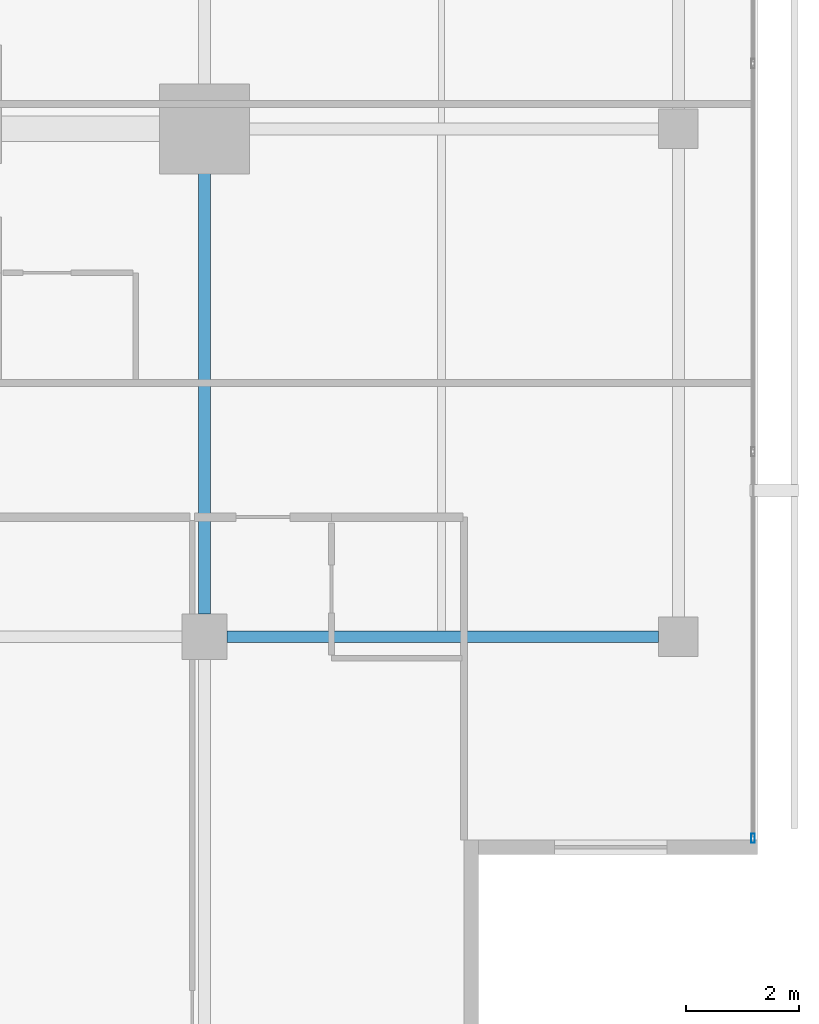
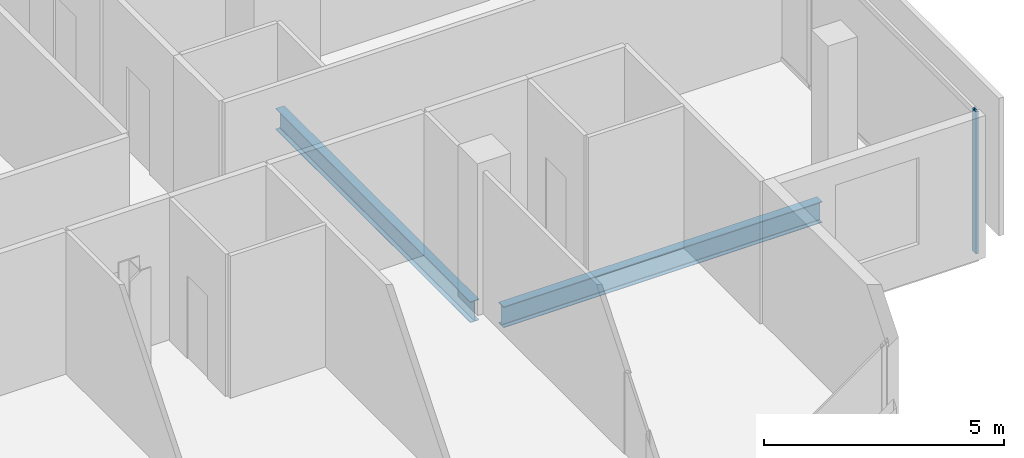
# One storey, part 11 of 25: 2 beams, 1 member, 1 element without a shape of its own.
"""IFC4 building model written with IfcOpenShell, lengths in metres."""

from ifc_helpers import new_model, si_unit, direction, frame, origin, origin_2d, place, context, subcontext, project, spatial, hollow_rectangle, i_section, extrude, material, layer, layer_set, material_profile, profile_set, type_object, element, aggregate, save


model = new_model("IFC4")

# Units and contexts
model_context = context("Model", 3, precision=1e-05, world=origin(), true_north=direction((0.0, 1.0)))
body_context = subcontext(model_context, "Body", "Model", "MODEL_VIEW")
ifc_project = project(units=[si_unit("LENGTHUNIT", "METRE"), si_unit("AREAUNIT", "SQUARE_METRE"), si_unit("VOLUMEUNIT", "CUBIC_METRE"), si_unit("PLANEANGLEUNIT", "RADIAN"), si_unit("MASSUNIT", "GRAM", prefix="KILO")], contexts=[model_context])

# Site, building, storey
site_placement = place(None, origin())
site = spatial("IfcSite", under=ifc_project, at=site_placement, CompositionType="ELEMENT")
building_placement = place(site_placement, origin())
building = spatial("IfcBuilding", under=site, at=building_placement, Name="Maruvema Waterfront Hotel and Observation Tower", CompositionType="ELEMENT")
storey_placement = place(building_placement, frame((0.0, 0.0, 250.949951171875)))
storey = spatial("IfcBuildingStorey", under=building, at=storey_placement, Name="L61", CompositionType="ELEMENT", Elevation=250.949951171875)

# Curtain wall, member
ifc_material_1 = material(Name="Anodised bronze aluminium and solar-control low-E IGU", Category="aluminium")
ifc_layer = layer(ifc_material_1, 0.159912109375, Name="Zone 3 Champagne Inner Thermal Curtain Wall System CW-04")
ifc_layer_set = layer_set([ifc_layer], Name="Anodised bronze aluminium and solar-control low-E IGU")
curtain_wall_type = type_object("IfcCurtainWallType", Name="Zone 3 Champagne Inner Thermal Curtain Wall System CW-04", PredefinedType="USERDEFINED", material=ifc_layer_set)
curtain_wall_placement = place(storey_placement, origin())
curtain_wall = element("IfcCurtainWall", 1, at=curtain_wall_placement, inside=storey, type_object=curtain_wall_type, Name="L61 Curtain Wall CW-L61-E", ObjectType="UNITISED CURTAIN WALL", PredefinedType="USERDEFINED")
ifc_material_2 = material(Name="Anodised architectural bronze aluminium", Category="aluminium")
ifc_material_profile_1 = material_profile(ifc_material_2, hollow_rectangle(XDim=0.06494140625, YDim=0.1650390625, WallThickness=0.00390625, at=origin_2d()), Name="ALU-M65x165")
ifc_profile_set_1 = profile_set([ifc_material_profile_1], Name="Anodised architectural bronze aluminium")
member_type = type_object("IfcMemberType", Name="Curtain Wall Primary Mullion ALU-M65x165", PredefinedType="MULLION", material=ifc_profile_set_1)
member_placement = place(storey_placement, frame((60.1201171875, 14.429931640625, 0.0), z_axis=(0.0, 0.0, 1.0), x_axis=(-1.0, 0.0, 0.0)))
member = element("IfcMember", 2, at=member_placement, type_object=member_type, Name="CW-04 mullion 1", PredefinedType="MULLION", context=body_context, shape_type="SweptSolid", body=[
    extrude(hollow_rectangle(XDim=0.06494140625, YDim=0.1650390625, WallThickness=0.00390625, at=origin_2d()), origin(), (0.0, 0.0, 1.0), 3.610107421875),
])
aggregate(curtain_wall, [member])

# Beams
ifc_material_3 = material(Name="Steel ASTM A572 Grade 50", Category="steel")
ifc_material_profile_2 = material_profile(ifc_material_3, i_section(OverallWidth=0.208984375, OverallDepth=0.532958984375, WebThickness=0.01025390625, FlangeThickness=0.015625, FilletRadius=0.014892578125, at=origin_2d()), Name="W530x92.0")
ifc_profile_set_2 = profile_set([ifc_material_profile_2], Name="Steel ASTM A572 Grade 50")
beam_type = type_object("IfcBeamType", Name="Primary Floor Girder W530x92.0", PredefinedType="BEAM", material=ifc_profile_set_2)
beam_1_placement = place(storey_placement, frame((50.800048828125, 18.0, -0.50634765625), z_axis=(1.0, 0.0, 0.0), x_axis=(0.0, 1.0, 0.0)))
element("IfcBeam", 3, at=beam_1_placement, inside=storey, type_object=beam_type, Name="L61 Floor Girder EW-08", PredefinedType="BEAM", context=body_context, shape_type="SweptSolid", body=[
    extrude(i_section(OverallWidth=0.208984375, OverallDepth=0.532958984375, WebThickness=0.01025390625, FlangeThickness=0.015625, FilletRadius=0.014892578125, at=origin_2d()), origin(), (0.0, 0.0, 1.0), 7.64990234375),
])
beam_2_placement = place(storey_placement, frame((50.39990234375, 18.39990234375, -0.50634765625), z_axis=(0.0, 1.0, 0.0), x_axis=(-1.0, 0.0, 0.0)))
element("IfcBeam", 4, at=beam_2_placement, inside=storey, type_object=beam_type, Name="L61 Floor Girder NS-13", PredefinedType="BEAM", context=body_context, shape_type="SweptSolid", body=[
    extrude(i_section(OverallWidth=0.208984375, OverallDepth=0.532958984375, WebThickness=0.01025390625, FlangeThickness=0.015625, FilletRadius=0.014892578125, at=origin_2d()), origin(), (0.0, 0.0, 1.0), 8.10009765625),
])

save(model, "model.ifc")
